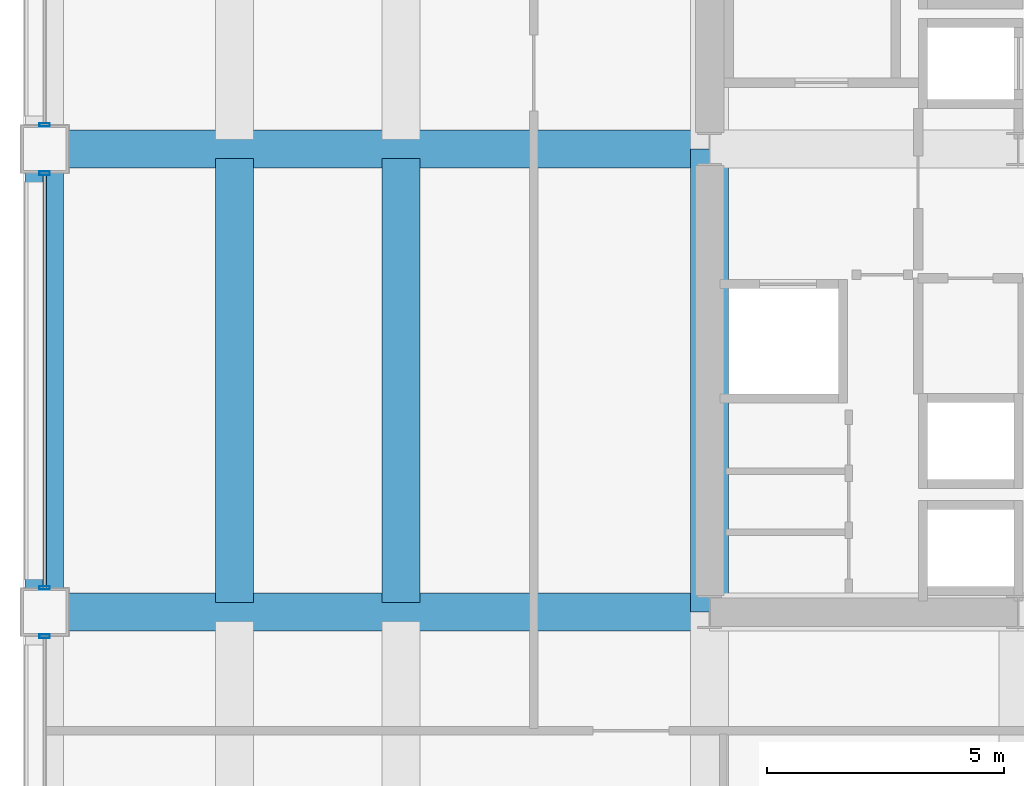
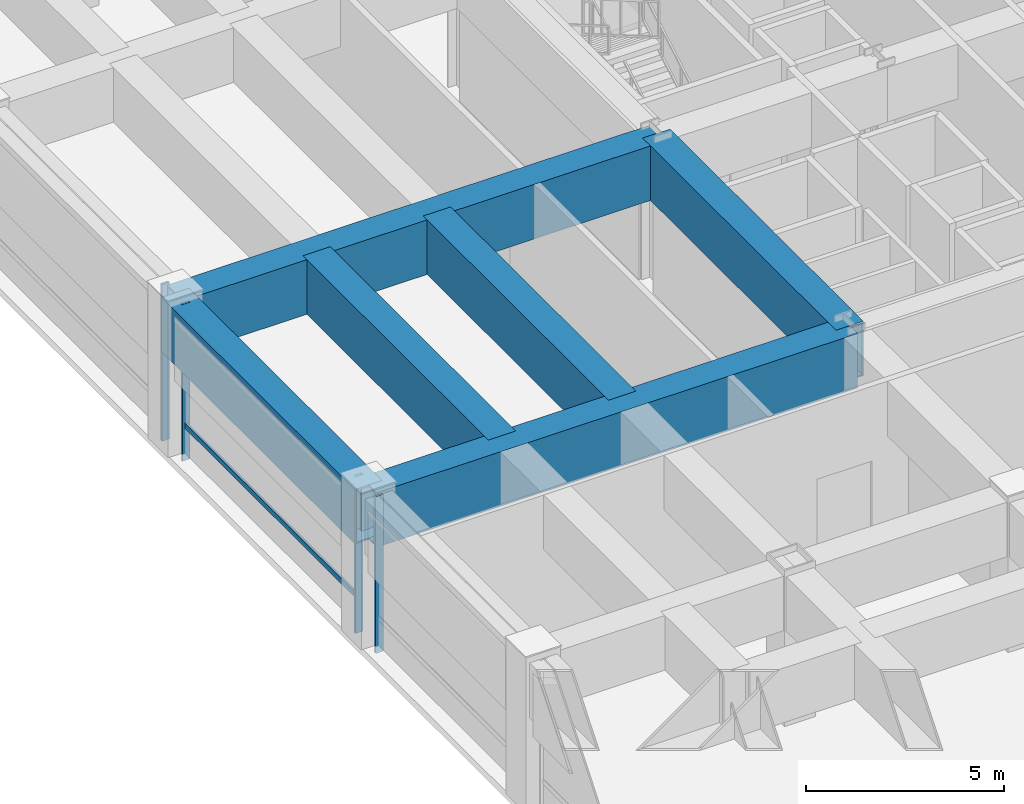
# One storey, part 7 of 30: 6 beams, 5 members, 3 elements without a shape of their own.
"""IFC4 building model written with IfcOpenShell, lengths in metres."""

from ifc_helpers import new_model, si_unit, direction, frame, origin, origin_2d, place, context, subcontext, project, spatial, hollow_rectangle, extrude, material, layer, layer_set, material_profile, profile_set, type_object, element, aggregate, save


model = new_model("IFC4")

# Units and contexts
model_context = context("Model", 3, precision=1e-05, world=origin(), true_north=direction((0.0, 1.0)))
body_context = subcontext(model_context, "Body", "Model", "MODEL_VIEW")
ifc_project = project(units=[si_unit("LENGTHUNIT", "METRE"), si_unit("AREAUNIT", "SQUARE_METRE"), si_unit("VOLUMEUNIT", "CUBIC_METRE"), si_unit("PLANEANGLEUNIT", "RADIAN"), si_unit("MASSUNIT", "GRAM", prefix="KILO")], contexts=[model_context])

# Site, building, storey
site_placement = place(None, origin())
site = spatial("IfcSite", under=ifc_project, at=site_placement, CompositionType="ELEMENT")
building_placement = place(site_placement, origin())
building = spatial("IfcBuilding", under=site, at=building_placement, Name="Brelmoor Portico Tower", CompositionType="ELEMENT")
storey_placement = place(building_placement, frame((0.0, 0.0, 19.199951171875)))
storey = spatial("IfcBuildingStorey", under=building, at=storey_placement, Name="L04", CompositionType="ELEMENT", Elevation=19.199951171875)

# Beams
ifc_material_1 = material(Name="Steel Q355B", Category="steel")
ifc_material_profile_1 = material_profile(ifc_material_1, hollow_rectangle(XDim=0.800048828125, YDim=1.679931640625, WallThickness=0.044921875, at=origin_2d()), Name="BOX 800x1680x45")
ifc_profile_set_1 = profile_set([ifc_material_profile_1], Name="Steel Q355B")
beam_type = type_object("IfcBeamType", Name="BM-TG-Z1", PredefinedType="BEAM", material=ifc_profile_set_1)
for number, where, z_axis, x_axis, name in (
    (1, (-28.550048828125, -9.75, 3.760009765625), (0.0, 1.0, 0.0), (-1.0, 0.0, 0.0), "L04 Perimeter Transfer Beam SP-17"),
    (2, (-14.550048828125, -9.75, 3.760009765625), (0.0, 1.0, 0.0), (-1.0, 0.0, 0.0), "L04 Setback Transfer Girder PG-05"),
):
    element("IfcBeam", number, at=place(storey_placement, frame(where, z_axis=z_axis, x_axis=x_axis)), inside=storey, type_object=beam_type, Name=name, PredefinedType="BEAM", context=body_context, shape_type="SweptSolid", body=[
        extrude(hollow_rectangle(XDim=0.800048828125, YDim=1.679931640625, WallThickness=0.044921875, at=origin_2d()), origin(), (0.0, 0.0, 1.0), 9.75),
    ])
for number, where, z_axis, x_axis, name in (
    (3, (-28.550048828125, -9.75, 3.760009765625), (1.0, 0.0, 0.0), (0.0, 1.0, 0.0), "L04 Setback Transfer Girder PG-25"),
    (4, (-28.550048828125, 0.0, 3.760009765625), (1.0, 0.0, 0.0), (0.0, 1.0, 0.0), "L04 Setback Transfer Girder PG-30"),
):
    element("IfcBeam", number, at=place(storey_placement, frame(where, z_axis=z_axis, x_axis=x_axis)), inside=storey, type_object=beam_type, Name=name, PredefinedType="BEAM", context=body_context, shape_type="SweptSolid", body=[
        extrude(hollow_rectangle(XDim=0.800048828125, YDim=1.679931640625, WallThickness=0.044921875, at=origin_2d()), origin(), (0.0, 0.0, 1.0), 14.0),
    ])
for number, where, z_axis, x_axis, name in (
    (5, (-21.050048828125, -9.550048828125, 3.760009765625), (0.0, 1.0, 0.0), (-1.0, 0.0, 0.0), "L04 Setback Transfer Girder TGN-29"),
    (6, (-24.550048828125, -9.550048828125, 3.760009765625), (0.0, 1.0, 0.0), (-1.0, 0.0, 0.0), "L04 Setback Transfer Girder TGN-42"),
):
    element("IfcBeam", number, at=place(storey_placement, frame(where, z_axis=z_axis, x_axis=x_axis)), inside=storey, type_object=beam_type, Name=name, PredefinedType="BEAM", context=body_context, shape_type="SweptSolid", body=[
        extrude(hollow_rectangle(XDim=0.800048828125, YDim=1.679931640625, WallThickness=0.044921875, at=origin_2d()), origin(), (0.0, 0.0, 1.0), 9.35009765625),
    ])

# Curtain wall, member
ifc_material_2 = material(Name="Anodised Aluminium Alloy 6063-T6", Category="aluminium")
ifc_layer = layer(ifc_material_2, 0.179931640625)
ifc_layer_set = layer_set([ifc_layer], Name="Anodised Aluminium Alloy 6063-T6")
curtain_wall_type = type_object("IfcCurtainWallType", Name="CW-PODIUM-ARCH", PredefinedType="NOTDEFINED", material=ifc_layer_set)
curtain_wall_1_placement = place(storey_placement, origin())
curtain_wall_1 = element("IfcCurtainWall", 7, at=curtain_wall_1_placement, inside=storey, type_object=curtain_wall_type, Name="L04 Curtain Wall CW-L04-03-2", PredefinedType="NOTDEFINED")
ifc_material_profile_2 = material_profile(ifc_material_2, hollow_rectangle(XDim=0.074951171875, YDim=0.219970703125, WallThickness=0.0048828125, at=origin_2d()), Name="ALU MULLION 75x220")
ifc_profile_set_2 = profile_set([ifc_material_profile_2], Name="Anodised Aluminium Alloy 6063-T6")
member_type_1 = type_object("IfcMemberType", Name="MB-CW-MULL-220", PredefinedType="MULLION", material=ifc_profile_set_2)
member_1_placement = place(storey_placement, frame((-28.550048828125, -10.260009765625, -0.219970703125), z_axis=(0.0, 0.0, 1.0), x_axis=(0.0, 1.0, 0.0)))
member_1 = element("IfcMember", 8, at=member_1_placement, type_object=member_type_1, Name="CW-L04-03-2 Mullion 01", PredefinedType="MULLION", context=body_context, shape_type="SweptSolid", body=[
    extrude(hollow_rectangle(XDim=0.074951171875, YDim=0.219970703125, WallThickness=0.0048828125, at=origin_2d()), origin(), (0.0, 0.0, 1.0), 4.820068359375),
])
aggregate(curtain_wall_1, [member_1])

# Curtain wall, members
curtain_wall_2_placement = place(storey_placement, origin())
curtain_wall_2 = element("IfcCurtainWall", 9, at=curtain_wall_2_placement, inside=storey, type_object=curtain_wall_type, Name="L04 Curtain Wall CW-L04-03-3", PredefinedType="NOTDEFINED")
member_2_placement = place(storey_placement, frame((-28.550048828125, -9.239990234375, -0.219970703125), z_axis=(0.0, 0.0, 1.0), x_axis=(0.0, 1.0, 0.0)))
member_2 = element("IfcMember", 10, at=member_2_placement, type_object=member_type_1, Name="CW-L04-03-3 Mullion 00", PredefinedType="MULLION", context=body_context, shape_type="SweptSolid", body=[
    extrude(hollow_rectangle(XDim=0.074951171875, YDim=0.219970703125, WallThickness=0.0048828125, at=origin_2d()), origin(), (0.0, 0.0, 1.0), 4.820068359375),
])
member_3_placement = place(storey_placement, frame((-28.550048828125, -0.510009765625, -0.219970703125), z_axis=(0.0, 0.0, 1.0), x_axis=(0.0, 1.0, 0.0)))
member_3 = element("IfcMember", 11, at=member_3_placement, type_object=member_type_1, Name="CW-L04-03-3 Mullion 01", PredefinedType="MULLION", context=body_context, shape_type="SweptSolid", body=[
    extrude(hollow_rectangle(XDim=0.074951171875, YDim=0.219970703125, WallThickness=0.0048828125, at=origin_2d()), origin(), (0.0, 0.0, 1.0), 4.820068359375),
])

# Curtain wall, member
curtain_wall_3_placement = place(storey_placement, origin())
curtain_wall_3 = element("IfcCurtainWall", 12, at=curtain_wall_3_placement, inside=storey, type_object=curtain_wall_type, Name="L04 Curtain Wall CW-L04-03-4", PredefinedType="NOTDEFINED")
member_4_placement = place(storey_placement, frame((-28.550048828125, 0.510009765625, -0.219970703125), z_axis=(0.0, 0.0, 1.0), x_axis=(0.0, 1.0, 0.0)))
member_4 = element("IfcMember", 13, at=member_4_placement, type_object=member_type_1, Name="CW-L04-03-4 Mullion 00", PredefinedType="MULLION", context=body_context, shape_type="SweptSolid", body=[
    extrude(hollow_rectangle(XDim=0.074951171875, YDim=0.219970703125, WallThickness=0.0048828125, at=origin_2d()), origin(), (0.0, 0.0, 1.0), 4.820068359375),
])
aggregate(curtain_wall_3, [member_4])

# Member
ifc_material_profile_3 = material_profile(ifc_material_2, hollow_rectangle(XDim=0.070068359375, YDim=0.159912109375, WallThickness=0.00390625, at=origin_2d()), Name="ALU TRANSOM 70x160")
ifc_profile_set_3 = profile_set([ifc_material_profile_3], Name="Anodised Aluminium Alloy 6063-T6")
member_type_2 = type_object("IfcMemberType", Name="MB-CW-TRAN-160", PredefinedType="USERDEFINED", material=ifc_profile_set_3)
member_5_placement = place(storey_placement, frame((-28.550048828125, -9.239990234375, 0.85009765625), z_axis=(0.0, 1.0, 0.0), x_axis=(-1.0, 0.0, 0.0)))
member_5 = element("IfcMember", 14, at=member_5_placement, type_object=member_type_2, Name="CW-L04-03-3 Transom 1-00", ObjectType="TRANSOM", PredefinedType="USERDEFINED", context=body_context, shape_type="SweptSolid", body=[
    extrude(hollow_rectangle(XDim=0.070068359375, YDim=0.159912109375, WallThickness=0.00390625, at=origin_2d()), origin(), (0.0, 0.0, 1.0), 8.72998046875),
])

aggregate(curtain_wall_2, [member_2, member_3, member_5])

save(model, "model.ifc")
